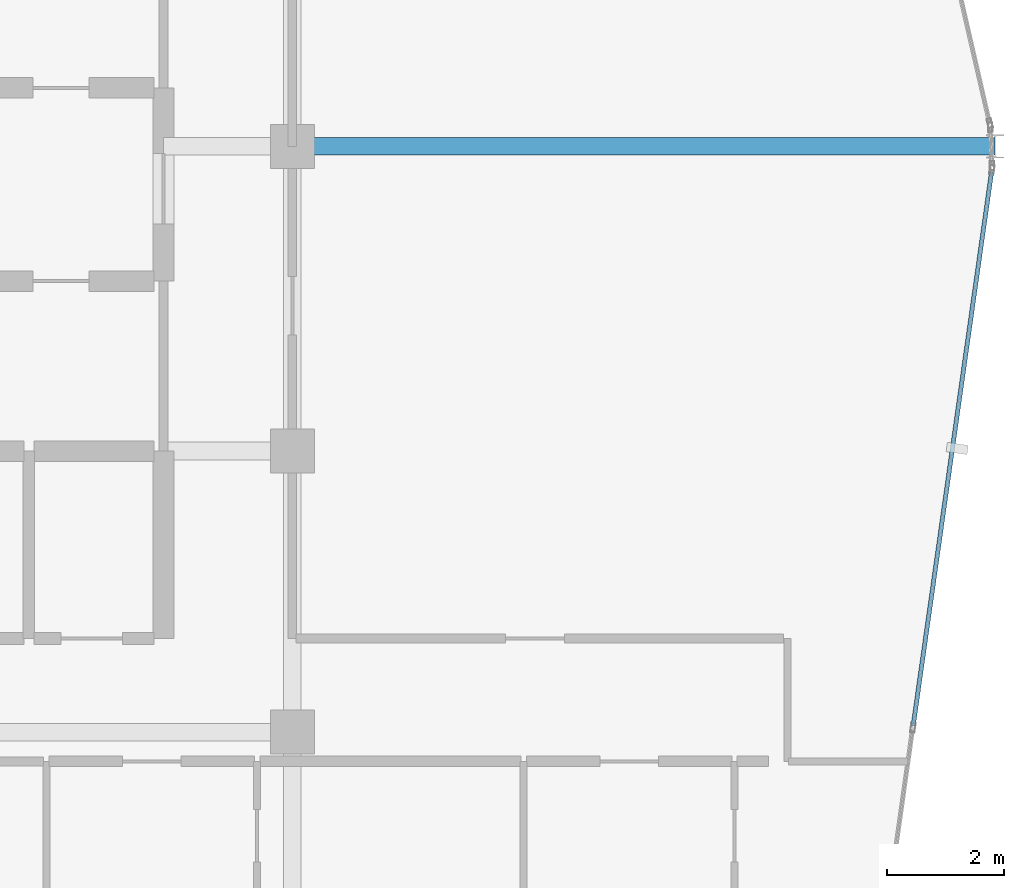
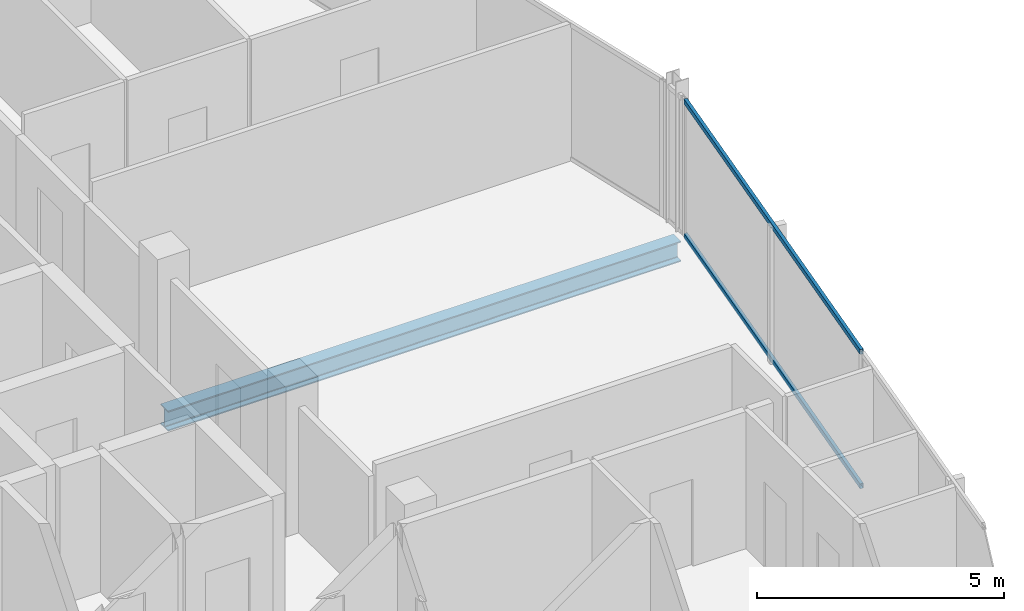
# One storey, part 13 of 27: 2 members, 1 beam, 1 element without a shape of its own.
"""IFC4 building model written with IfcOpenShell, lengths in metres."""

from ifc_helpers import new_model, si_unit, direction, frame, origin, origin_2d, place, context, subcontext, project, spatial, hollow_rectangle, i_section, extrude, material, layer, layer_set, material_profile, profile_set, type_object, element, aggregate, save


model = new_model("IFC4")

# Units and contexts
model_context = context("Model", 3, precision=1e-05, world=origin(), true_north=direction((0.0, 1.0)))
body_context = subcontext(model_context, "Body", "Model", "MODEL_VIEW")
ifc_project = project(units=[si_unit("LENGTHUNIT", "METRE"), si_unit("AREAUNIT", "SQUARE_METRE"), si_unit("VOLUMEUNIT", "CUBIC_METRE"), si_unit("PLANEANGLEUNIT", "RADIAN"), si_unit("MASSUNIT", "GRAM", prefix="KILO")], contexts=[model_context])

# Site, building, storey
site_placement = place(None, origin())
site = spatial("IfcSite", under=ifc_project, at=site_placement, CompositionType="ELEMENT")
building_placement = place(site_placement, origin())
building = spatial("IfcBuilding", under=site, at=building_placement, Name="Keshet Zoharim Tower", CompositionType="ELEMENT")
storey_placement = place(building_placement, frame((0.0, 0.0, 273.199951171875)))
storey = spatial("IfcBuildingStorey", under=building, at=storey_placement, Name="L68", CompositionType="ELEMENT", Elevation=273.199951171875)

# Beam
ifc_material_1 = material(Name="Steel S355", Category="steel")
ifc_material_profile_1 = material_profile(ifc_material_1, i_section(OverallWidth=0.300048828125, OverallDepth=0.5, WebThickness=0.014404296875, FlangeThickness=0.028076171875, FilletRadius=0.027099609375, at=origin_2d()), Name="HEB500")
ifc_profile_set_1 = profile_set([ifc_material_profile_1], Name="Steel S355")
beam_type = type_object("IfcBeamType", Name="BM-MED-HB500", PredefinedType="BEAM", material=ifc_profile_set_1)
beam_placement = place(storey_placement, frame((33.0, 27.89990234375, -0.56005859375), z_axis=(1.0, 0.0, 0.0), x_axis=(0.0, 1.0, 0.0)))
element("IfcBeam", 1, at=beam_placement, inside=storey, type_object=beam_type, Name="L68 Primary Girder X-007", PredefinedType="BEAM", context=body_context, shape_type="SweptSolid", body=[
    extrude(i_section(OverallWidth=0.300048828125, OverallDepth=0.5, WebThickness=0.014404296875, FlangeThickness=0.028076171875, FilletRadius=0.027099609375, at=origin_2d()), origin(), (0.0, 0.0, 1.0), 12.0),
])

# Curtain wall, members
ifc_material_2 = material(Name="Aluminium 6063-T6", Category="aluminium")
ifc_layer = layer(ifc_material_2, 0.260009765625)
ifc_layer_set = layer_set([ifc_layer], Name="Aluminium 6063-T6")
curtain_wall_type = type_object("IfcCurtainWallType", Name="CW-SYS-06", PredefinedType="NOTDEFINED", material=ifc_layer_set)
curtain_wall_placement = place(storey_placement, origin())
curtain_wall = element("IfcCurtainWall", 2, at=curtain_wall_placement, inside=storey, type_object=curtain_wall_type, Name="L68 Unitised Curtain Wall 11", PredefinedType="NOTDEFINED")
ifc_material_profile_2 = material_profile(ifc_material_2, hollow_rectangle(XDim=0.074951171875, YDim=0.1201171875, WallThickness=0.00390625, at=origin_2d()), Name="TRN-75x120")
ifc_profile_set_2 = profile_set([ifc_material_profile_2], Name="Aluminium 6063-T6")
member_type = type_object("IfcMemberType", Name="CWT-T12", PredefinedType="USERDEFINED", material=ifc_profile_set_2)
member_1_placement = place(storey_placement, frame((44.938232421875, 27.462646484375, 0.03515625), z_axis=(-0.140150169695, -0.990130259074, 0.0), x_axis=(0.990130259074, -0.140150169695, 0.0)))
member_1 = element("IfcMember", 3, at=member_1_placement, type_object=member_type, Name="CW-06 transom 1.1", ObjectType="TRANSOM", PredefinedType="USERDEFINED", context=body_context, shape_type="SweptSolid", body=[
    extrude(hollow_rectangle(XDim=0.074951171875, YDim=0.1201171875, WallThickness=0.00390625, at=origin_2d()), origin(), (0.0, 0.0, 1.0), 9.546142578125),
])
member_2_placement = place(storey_placement, frame((44.938232421875, 27.462646484375, 3.35498046875), z_axis=(-0.140150169695, -0.990130259074, 0.0), x_axis=(0.990130259074, -0.140150169695, 0.0)))
member_2 = element("IfcMember", 4, at=member_2_placement, type_object=member_type, Name="CW-06 transom 1.2", ObjectType="TRANSOM", PredefinedType="USERDEFINED", context=body_context, shape_type="SweptSolid", body=[
    extrude(hollow_rectangle(XDim=0.074951171875, YDim=0.1201171875, WallThickness=0.00390625, at=origin_2d()), origin(), (0.0, 0.0, 1.0), 9.546142578125),
])
aggregate(curtain_wall, [member_1, member_2])

save(model, "model.ifc")
